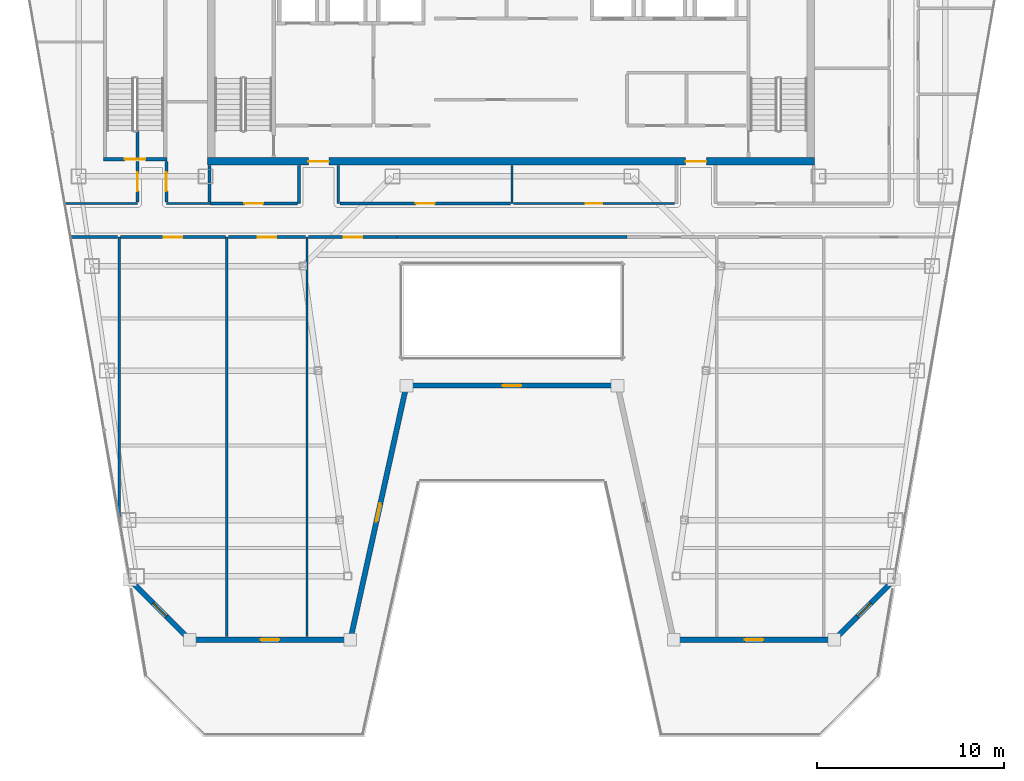
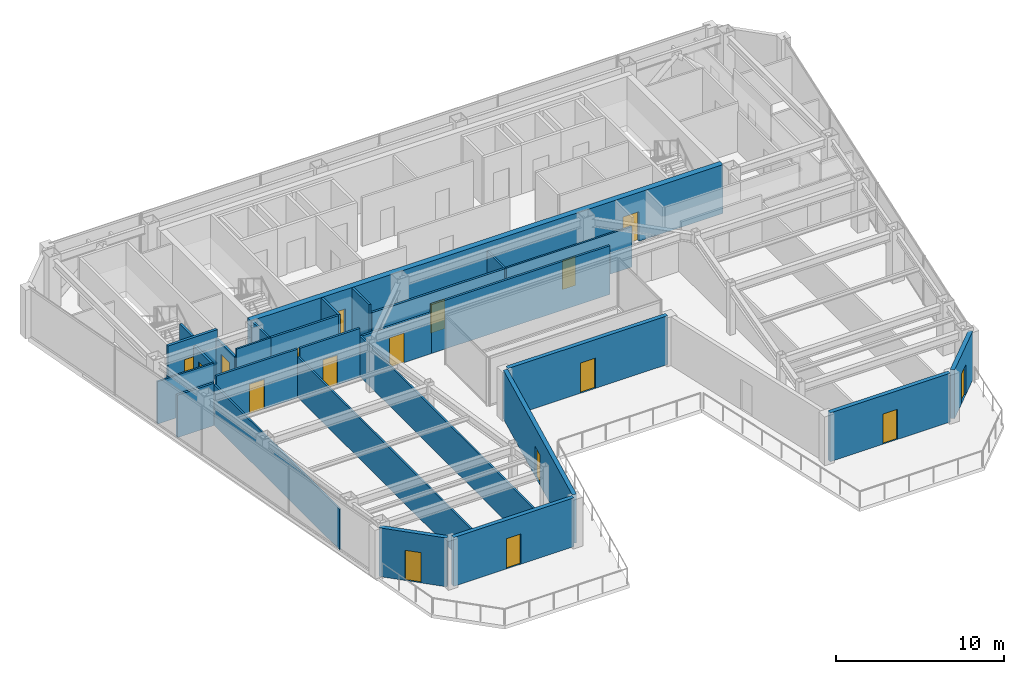
# One storey, part 24 of 31: 28 walls, 17 doors, 17 openings.
"""IFC4 building model written with IfcOpenShell, lengths in metres."""

from ifc_helpers import new_model, si_unit, direction, frame, frame_2d, origin, place, context, subcontext, project, spatial, rectangle, extrude, material, layer, layer_set, type_object, element, fill, save


model = new_model("IFC4")

# Units and contexts
model_context = context("Model", 3, precision=1e-05, world=origin(), true_north=direction((0.0, 1.0)))
body_context = subcontext(model_context, "Body", "Model", "MODEL_VIEW")
ifc_project = project(units=[si_unit("LENGTHUNIT", "METRE"), si_unit("AREAUNIT", "SQUARE_METRE"), si_unit("VOLUMEUNIT", "CUBIC_METRE"), si_unit("PLANEANGLEUNIT", "RADIAN"), si_unit("MASSUNIT", "GRAM", prefix="KILO")], contexts=[model_context])

# Site, building, storey
site_placement = place(None, origin())
site = spatial("IfcSite", under=ifc_project, at=site_placement, CompositionType="ELEMENT")
building_placement = place(site_placement, origin())
building = spatial("IfcBuilding", under=site, at=building_placement, Name="Saevonmaru Cultural Tower", CompositionType="ELEMENT")
storey_placement = place(building_placement, frame((0.0, 0.0, 230.60009765625)))
storey = spatial("IfcBuildingStorey", under=building, at=storey_placement, Name="L53", CompositionType="ELEMENT", Elevation=230.60009765625)

# Wall, openings, doors
ifc_material_1 = material(Name="Concrete C50/60", Category="concrete")
ifc_layer_1 = layer(ifc_material_1, 0.39990234375, Name="Concrete C50/60")
ifc_layer_set_1 = layer_set([ifc_layer_1], Name="Concrete C50/60")
wall_type_1 = type_object("IfcWallType", Name="WL-CORE-400", PredefinedType="SHEAR", material=ifc_layer_set_1)
wall_1_placement = place(storey_placement, frame((13.699951171875, 43.199951171875, 0.0), z_axis=(0.0, 0.0, 1.0), x_axis=(1.0, 0.0, 0.0)))
wall_1 = element("IfcWall", 1, at=wall_1_placement, inside=storey, type_object=wall_type_1, Name="L53 Tower RC core shear wall S", PredefinedType="SHEAR", context=body_context, shape_type="SweptSolid", body=[
    extrude(rectangle(XDim=32.5, YDim=0.39990234375, at=frame_2d((16.25, 0.0))), origin(), (0.0, 0.0, 1.0), 3.5498046875),
])
opening_1_placement = place(wall_1_placement, frame((5.39990234375, 0.0, 0.0)))
opening_1 = element("IfcOpeningElement", 2, at=opening_1_placement, cuts=wall_1, Name="Opening FD-2", PredefinedType="OPENING", context=body_context, shape_type="SweptSolid", body=[
    extrude(rectangle(XDim=1.10009765625, YDim=2.14990234375, at=frame_2d((0.550048828125, 1.074951171875))), frame((0.0, 0.2099609375, 0.0), z_axis=(0.0, -1.0, 0.0), x_axis=(1.0, 0.0, 0.0)), (0.0, 0.0, 1.0), 0.419921875),
])
opening_2_placement = place(wall_1_placement, frame((25.60009765625, 0.0, 0.0)))
opening_2 = element("IfcOpeningElement", 3, at=opening_2_placement, cuts=wall_1, Name="Opening FD-2", PredefinedType="OPENING", context=body_context, shape_type="SweptSolid", body=[
    extrude(rectangle(XDim=1.10009765625, YDim=2.14990234375, at=frame_2d((0.550048828125, 1.074951171875))), frame((0.0, 0.2099609375, 0.0), z_axis=(0.0, -1.0, 0.0), x_axis=(1.0, 0.0, 0.0)), (0.0, 0.0, 1.0), 0.419921875),
])
ifc_material_2 = material(Name="Satin Bronze Anodised Aluminium", Category="aluminium")
door_type_1 = type_object("IfcDoorType", Name="DR-FD60-1100", OperationType="SINGLE_SWING_LEFT", PredefinedType="DOOR", material=ifc_material_2)
door_1_placement = place(opening_1_placement, origin())
door_1 = element("IfcDoor", 4, at=door_1_placement, inside=storey, type_object=door_type_1, Name="L53 Core West Lobby Fire Door", OperationType="SINGLE_SWING_LEFT", OverallHeight=2.14990234375, OverallWidth=1.10009765625, PredefinedType="DOOR", context=body_context, shape_type="SweptSolid", body=[
    extrude(rectangle(XDim=1.10009765625, YDim=2.14990234375, at=frame_2d((0.550048828125, 1.074951171875))), frame((0.0, 0.02490234375, 0.0), z_axis=(0.0, -1.0, 0.0), x_axis=(1.0, 0.0, 0.0)), (0.0, 0.0, 1.0), 0.050048828125),
])
fill(opening_1, door_1)
door_2_placement = place(opening_2_placement, origin())
door_2 = element("IfcDoor", 5, at=door_2_placement, inside=storey, type_object=door_type_1, Name="L53 Core East Lobby Fire Door", OperationType="SINGLE_SWING_LEFT", OverallHeight=2.14990234375, OverallWidth=1.10009765625, PredefinedType="DOOR", context=body_context, shape_type="SweptSolid", body=[
    extrude(rectangle(XDim=1.10009765625, YDim=2.14990234375, at=frame_2d((0.550048828125, 1.074951171875))), frame((0.0, 0.02490234375, 0.0), z_axis=(0.0, -1.0, 0.0), x_axis=(1.0, 0.0, 0.0)), (0.0, 0.0, 1.0), 0.050048828125),
])
fill(opening_2, door_2)

# Wall, opening, door
ifc_material_3 = material(Name="Granite-Clad Precast Concrete C40/50", Category="masonry")
ifc_layer_2 = layer(ifc_material_3, 0.280029296875, Name="Granite-Clad Precast Concrete C40/50")
ifc_layer_set_2 = layer_set([ifc_layer_2], Name="Granite-Clad Precast Concrete C40/50")
wall_type_2 = type_object("IfcWallType", Name="WL-EXT-SPANDREL-280", PredefinedType="STANDARD", material=ifc_layer_set_2)
wall_2_placement = place(storey_placement, frame((9.659912109375, 20.68701171875, 0.0), z_axis=(0.0, 0.0, 1.0), x_axis=(0.70707775441, -0.707135806771, 0.0)))
wall_2 = element("IfcWall", 6, at=wall_2_placement, inside=storey, type_object=wall_type_2, Name="L53 Setback Terrace Portal Wall E1", PredefinedType="STANDARD", context=body_context, shape_type="SweptSolid", body=[
    extrude(rectangle(XDim=4.20556640625, YDim=0.280029296875, at=frame_2d((2.102783203125, 0.0))), origin(), (0.0, 0.0, 1.0), 3.5498046875),
])
opening_3_placement = place(wall_2_placement, frame((1.60302734375, 0.0, 0.0)))
opening_3 = element("IfcOpeningElement", 7, at=opening_3_placement, cuts=wall_2, Name="Opening TD-2", PredefinedType="OPENING", context=body_context, shape_type="SweptSolid", body=[
    extrude(rectangle(XDim=1.0, YDim=2.199951171875, at=frame_2d((0.5, 1.10009765625))), frame((0.0, 0.14990234375, 0.0), z_axis=(0.0, -1.0, 0.0), x_axis=(1.0, 0.0, 0.0)), (0.0, 0.0, 1.0), 0.300048828125),
])
door_type_2 = type_object("IfcDoorType", Name="DR-TERR-1000", OperationType="SINGLE_SWING_RIGHT", PredefinedType="DOOR", material=ifc_material_2)
door_3_placement = place(opening_3_placement, origin())
door_3 = element("IfcDoor", 8, at=door_3_placement, inside=storey, type_object=door_type_2, Name="L53 Sawtooth Roof Terrace Door E1", OperationType="SINGLE_SWING_RIGHT", OverallHeight=2.199951171875, OverallWidth=1.0, PredefinedType="DOOR", context=body_context, shape_type="SweptSolid", body=[
    extrude(rectangle(XDim=1.0, YDim=2.199951171875, at=frame_2d((0.5, 1.10009765625))), frame((0.0, 0.02490234375, 0.0), z_axis=(0.0, -1.0, 0.0), x_axis=(1.0, 0.0, 0.0)), (0.0, 0.0, 1.0), 0.050048828125),
])
fill(opening_3, door_3)

wall_3_placement = place(storey_placement, frame((12.90673828125, 17.60009765625, 0.0), z_axis=(0.0, 0.0, 1.0), x_axis=(1.0, 0.0, 0.0)))
wall_3 = element("IfcWall", 9, at=wall_3_placement, inside=storey, type_object=wall_type_2, Name="L53 Setback Terrace Portal Wall E2", PredefinedType="STANDARD", context=body_context, shape_type="SweptSolid", body=[
    extrude(rectangle(XDim=8.280029296875, YDim=0.280029296875, at=frame_2d((4.14013671875, 0.0))), origin(), (0.0, 0.0, 1.0), 3.5498046875),
])
opening_4_placement = place(wall_3_placement, frame((3.639892578125, 0.0, 0.0)))
opening_4 = element("IfcOpeningElement", 10, at=opening_4_placement, cuts=wall_3, Name="Opening TD-2", PredefinedType="OPENING", context=body_context, shape_type="SweptSolid", body=[
    extrude(rectangle(XDim=1.0, YDim=2.199951171875, at=frame_2d((0.5, 1.10009765625))), frame((0.0, 0.14990234375, 0.0), z_axis=(0.0, -1.0, 0.0), x_axis=(1.0, 0.0, 0.0)), (0.0, 0.0, 1.0), 0.300048828125),
])
door_4_placement = place(opening_4_placement, origin())
door_4 = element("IfcDoor", 11, at=door_4_placement, inside=storey, type_object=door_type_2, Name="L53 Sawtooth Roof Terrace Door E2", OperationType="SINGLE_SWING_LEFT", OverallHeight=2.199951171875, OverallWidth=1.0, PredefinedType="DOOR", context=body_context, shape_type="SweptSolid", body=[
    extrude(rectangle(XDim=1.0, YDim=2.199951171875, at=frame_2d((0.5, 1.10009765625))), frame((0.0, 0.02490234375, 0.0), z_axis=(0.0, -1.0, 0.0), x_axis=(1.0, 0.0, 0.0)), (0.0, 0.0, 1.0), 0.050048828125),
])
fill(opening_4, door_4)

wall_4_placement = place(storey_placement, frame((21.381103515625, 17.756103515625, 0.0), z_axis=(0.0, 0.0, 1.0), x_axis=(0.215414184939, 0.976522774403, 0.0)))
wall_4 = element("IfcWall", 12, at=wall_4_placement, inside=storey, type_object=wall_type_2, Name="L53 Setback Terrace Portal Wall E3", PredefinedType="STANDARD", context=body_context, shape_type="SweptSolid", body=[
    extrude(rectangle(XDim=13.60693359375, YDim=0.280029296875, at=frame_2d((6.803466796875, 0.0))), origin(), (0.0, 0.0, 1.0), 3.5498046875),
])
opening_5_placement = place(wall_4_placement, frame((6.303955078125, 0.0, 0.0)))
opening_5 = element("IfcOpeningElement", 13, at=opening_5_placement, cuts=wall_4, Name="Opening TD-2", PredefinedType="OPENING", context=body_context, shape_type="SweptSolid", body=[
    extrude(rectangle(XDim=1.0, YDim=2.199951171875, at=frame_2d((0.5, 1.10009765625))), frame((0.0, 0.14990234375, 0.0), z_axis=(0.0, -1.0, 0.0), x_axis=(1.0, 0.0, 0.0)), (0.0, 0.0, 1.0), 0.300048828125),
])
door_5_placement = place(opening_5_placement, origin())
door_5 = element("IfcDoor", 14, at=door_5_placement, inside=storey, type_object=door_type_2, Name="L53 Sawtooth Roof Terrace Door E3", OperationType="SINGLE_SWING_RIGHT", OverallHeight=2.199951171875, OverallWidth=1.0, PredefinedType="DOOR", context=body_context, shape_type="SweptSolid", body=[
    extrude(rectangle(XDim=1.0, YDim=2.199951171875, at=frame_2d((0.5, 1.10009765625))), frame((0.0, 0.02490234375, 0.0), z_axis=(0.0, -1.0, 0.0), x_axis=(1.0, 0.0, 0.0)), (0.0, 0.0, 1.0), 0.050048828125),
])
fill(opening_5, door_5)

wall_5_placement = place(storey_placement, frame((24.506591796875, 31.199951171875, 0.0), z_axis=(0.0, 0.0, 1.0), x_axis=(1.0, 0.0, 0.0)))
wall_5 = element("IfcWall", 15, at=wall_5_placement, inside=storey, type_object=wall_type_2, Name="L53 Setback Terrace Portal Wall E4", PredefinedType="STANDARD", context=body_context, shape_type="SweptSolid", body=[
    extrude(rectangle(XDim=10.98681640625, YDim=0.280029296875, at=frame_2d((5.493408203125, 0.0))), origin(), (0.0, 0.0, 1.0), 3.5498046875),
])
opening_6_placement = place(wall_5_placement, frame((4.992919921875, 0.0, 0.0)))
opening_6 = element("IfcOpeningElement", 16, at=opening_6_placement, cuts=wall_5, Name="Opening TD-2", PredefinedType="OPENING", context=body_context, shape_type="SweptSolid", body=[
    extrude(rectangle(XDim=1.0, YDim=2.199951171875, at=frame_2d((0.5, 1.10009765625))), frame((0.0, 0.14990234375, 0.0), z_axis=(0.0, -1.0, 0.0), x_axis=(1.0, 0.0, 0.0)), (0.0, 0.0, 1.0), 0.300048828125),
])
door_6_placement = place(opening_6_placement, origin())
door_6 = element("IfcDoor", 17, at=door_6_placement, inside=storey, type_object=door_type_2, Name="L53 Sawtooth Roof Terrace Door E4", OperationType="SINGLE_SWING_LEFT", OverallHeight=2.199951171875, OverallWidth=1.0, PredefinedType="DOOR", context=body_context, shape_type="SweptSolid", body=[
    extrude(rectangle(XDim=1.0, YDim=2.199951171875, at=frame_2d((0.5, 1.10009765625))), frame((0.0, 0.02490234375, 0.0), z_axis=(0.0, -1.0, 0.0), x_axis=(1.0, 0.0, 0.0)), (0.0, 0.0, 1.0), 0.050048828125),
])
fill(opening_6, door_6)

wall_6_placement = place(storey_placement, frame((38.813232421875, 17.60009765625, 0.0), z_axis=(0.0, 0.0, 1.0), x_axis=(1.0, 0.0, 0.0)))
wall_6 = element("IfcWall", 18, at=wall_6_placement, inside=storey, type_object=wall_type_2, Name="L53 Setback Terrace Portal Wall E6", PredefinedType="STANDARD", context=body_context, shape_type="SweptSolid", body=[
    extrude(rectangle(XDim=8.280029296875, YDim=0.280029296875, at=frame_2d((4.14013671875, 0.0))), origin(), (0.0, 0.0, 1.0), 3.5498046875),
])
opening_7_placement = place(wall_6_placement, frame((3.639892578125, 0.0, 0.0)))
opening_7 = element("IfcOpeningElement", 19, at=opening_7_placement, cuts=wall_6, Name="Opening TD-2", PredefinedType="OPENING", context=body_context, shape_type="SweptSolid", body=[
    extrude(rectangle(XDim=1.0, YDim=2.199951171875, at=frame_2d((0.5, 1.10009765625))), frame((0.0, 0.14990234375, 0.0), z_axis=(0.0, -1.0, 0.0), x_axis=(1.0, 0.0, 0.0)), (0.0, 0.0, 1.0), 0.300048828125),
])
door_7_placement = place(opening_7_placement, origin())
door_7 = element("IfcDoor", 20, at=door_7_placement, inside=storey, type_object=door_type_2, Name="L53 Sawtooth Roof Terrace Door E6", OperationType="SINGLE_SWING_LEFT", OverallHeight=2.199951171875, OverallWidth=1.0, PredefinedType="DOOR", context=body_context, shape_type="SweptSolid", body=[
    extrude(rectangle(XDim=1.0, YDim=2.199951171875, at=frame_2d((0.5, 1.10009765625))), frame((0.0, 0.02490234375, 0.0), z_axis=(0.0, -1.0, 0.0), x_axis=(1.0, 0.0, 0.0)), (0.0, 0.0, 1.0), 0.050048828125),
])
fill(opening_7, door_7)

wall_7_placement = place(storey_placement, frame((47.366455078125, 17.713134765625, 0.0), z_axis=(0.0, 0.0, 1.0), x_axis=(0.70707775441, 0.707135806771, 0.0)))
wall_7 = element("IfcWall", 21, at=wall_7_placement, inside=storey, type_object=wall_type_2, Name="L53 Setback Terrace Portal Wall E7", PredefinedType="STANDARD", context=body_context, shape_type="SweptSolid", body=[
    extrude(rectangle(XDim=4.20556640625, YDim=0.280029296875, at=frame_2d((2.102783203125, 0.0))), origin(), (0.0, 0.0, 1.0), 3.5498046875),
])
opening_8_placement = place(wall_7_placement, frame((1.60302734375, 0.0, 0.0)))
opening_8 = element("IfcOpeningElement", 22, at=opening_8_placement, cuts=wall_7, Name="Opening TD-2", PredefinedType="OPENING", context=body_context, shape_type="SweptSolid", body=[
    extrude(rectangle(XDim=1.0, YDim=2.199951171875, at=frame_2d((0.5, 1.10009765625))), frame((0.0, 0.14990234375, 0.0), z_axis=(0.0, -1.0, 0.0), x_axis=(1.0, 0.0, 0.0)), (0.0, 0.0, 1.0), 0.300048828125),
])
door_8_placement = place(opening_8_placement, origin())
door_8 = element("IfcDoor", 23, at=door_8_placement, inside=storey, type_object=door_type_2, Name="L53 Sawtooth Roof Terrace Door E7", OperationType="SINGLE_SWING_RIGHT", OverallHeight=2.199951171875, OverallWidth=1.0, PredefinedType="DOOR", context=body_context, shape_type="SweptSolid", body=[
    extrude(rectangle(XDim=1.0, YDim=2.199951171875, at=frame_2d((0.5, 1.10009765625))), frame((0.0, 0.02490234375, 0.0), z_axis=(0.0, -1.0, 0.0), x_axis=(1.0, 0.0, 0.0)), (0.0, 0.0, 1.0), 0.050048828125),
])
fill(opening_8, door_8)

ifc_material_4 = material(Name="Gypsum Fireboard Partition", Category="gypsum")
ifc_layer_3 = layer(ifc_material_4, 0.14990234375, Name="Gypsum Fireboard Partition")
ifc_layer_set_3 = layer_set([ifc_layer_3], Name="Gypsum Fireboard Partition")
wall_type_3 = type_object("IfcWallType", Name="WL-PART-FIRE-150", PredefinedType="PARTITIONING", material=ifc_layer_set_3)
wall_8_placement = place(storey_placement, frame((9.949951171875, 41.030029296875, 0.0), z_axis=(0.0, 0.0, 1.0), x_axis=(0.0, 1.0, 0.0)))
wall_8 = element("IfcWall", 24, at=wall_8_placement, inside=storey, type_object=wall_type_3, Name="L53 Chamber Rehearsal Auditorium Corridor Wall", PredefinedType="PARTITIONING", context=body_context, shape_type="SweptSolid", body=[
    extrude(rectangle(XDim=2.169921875, YDim=0.14990234375, at=frame_2d((1.0849609375, 0.0))), origin(), (0.0, 0.0, 1.0), 2.947021484375),
])
opening_9_placement = place(wall_8_placement, frame((0.5849609375, 0.0, 0.0)))
opening_9 = element("IfcOpeningElement", 25, at=opening_9_placement, cuts=wall_8, Name="Opening ID-1B", PredefinedType="OPENING", context=body_context, shape_type="SweptSolid", body=[
    extrude(rectangle(XDim=1.0, YDim=2.14990234375, at=frame_2d((0.5, 1.074951171875))), frame((0.0, 0.0849609375, 0.0), z_axis=(0.0, -1.0, 0.0), x_axis=(1.0, 0.0, 0.0)), (0.0, 0.0, 1.0), 0.169921875),
])
ifc_material_5 = material(Name="Acoustic Stained Oak Timber", Category="wood")
door_type_3 = type_object("IfcDoorType", Name="DR-INT-1000", OperationType="SINGLE_SWING_RIGHT", PredefinedType="DOOR", material=ifc_material_5)
door_9_placement = place(opening_9_placement, origin())
door_9 = element("IfcDoor", 26, at=door_9_placement, inside=storey, type_object=door_type_3, Name="L53 Chamber Rehearsal Auditorium Door", OperationType="SINGLE_SWING_LEFT", OverallHeight=2.14990234375, OverallWidth=1.0, PredefinedType="DOOR", context=body_context, shape_type="SweptSolid", body=[
    extrude(rectangle(XDim=1.0, YDim=2.14990234375, at=frame_2d((0.5, 1.074951171875))), frame((0.0, 0.02490234375, 0.0), z_axis=(0.0, -1.0, 0.0), x_axis=(1.0, 0.0, 0.0)), (0.0, 0.0, 1.0), 0.050048828125),
])
fill(opening_9, door_9)

# Wall
wall_9_placement = place(storey_placement, frame((9.949951171875, 43.419921875, 0.0), z_axis=(0.0, 0.0, 1.0), x_axis=(0.0, 1.0, 0.0)))
element("IfcWall", 27, at=wall_9_placement, inside=storey, type_object=wall_type_3, Name="L53 Chamber Rehearsal Auditorium Corridor Wall (2)", PredefinedType="PARTITIONING", context=body_context, shape_type="SweptSolid", body=[
    extrude(rectangle(XDim=1.4501953125, YDim=0.14990234375, at=frame_2d((0.72509765625, 0.0))), origin(), (0.0, 0.0, 1.0), 3.5498046875),
])

# Wall, opening, door
wall_10_placement = place(storey_placement, frame((11.5, 41.030029296875, 0.0), z_axis=(0.0, 0.0, 1.0), x_axis=(0.0, 1.0, 0.0)))
wall_10 = element("IfcWall", 28, at=wall_10_placement, inside=storey, type_object=wall_type_3, Name="L53 Media Screening Auditorium Corridor Wall", PredefinedType="PARTITIONING", context=body_context, shape_type="SweptSolid", body=[
    extrude(rectangle(XDim=2.169921875, YDim=0.14990234375, at=frame_2d((1.0849609375, 0.0))), origin(), (0.0, 0.0, 1.0), 2.947021484375),
])
opening_10_placement = place(wall_10_placement, frame((0.5849609375, 0.0, 0.0)))
opening_10 = element("IfcOpeningElement", 29, at=opening_10_placement, cuts=wall_10, Name="Opening ID-1B", PredefinedType="OPENING", context=body_context, shape_type="SweptSolid", body=[
    extrude(rectangle(XDim=1.0, YDim=2.14990234375, at=frame_2d((0.5, 1.074951171875))), frame((0.0, 0.0849609375, 0.0), z_axis=(0.0, -1.0, 0.0), x_axis=(1.0, 0.0, 0.0)), (0.0, 0.0, 1.0), 0.169921875),
])
door_10_placement = place(opening_10_placement, origin())
door_10 = element("IfcDoor", 30, at=door_10_placement, inside=storey, type_object=door_type_3, Name="L53 Media Screening Auditorium Door", OperationType="SINGLE_SWING_RIGHT", OverallHeight=2.14990234375, OverallWidth=1.0, PredefinedType="DOOR", context=body_context, shape_type="SweptSolid", body=[
    extrude(rectangle(XDim=1.0, YDim=2.14990234375, at=frame_2d((0.5, 1.074951171875))), frame((0.0, 0.02490234375, 0.0), z_axis=(0.0, -1.0, 0.0), x_axis=(1.0, 0.0, 0.0)), (0.0, 0.0, 1.0), 0.050048828125),
])
fill(opening_10, door_10)

# Walls
wall_11_placement = place(storey_placement, frame((13.800048828125, 41.030029296875, 0.0), z_axis=(0.0, 0.0, 1.0), x_axis=(0.0, 1.0, 0.0)))
element("IfcWall", 31, at=wall_11_placement, inside=storey, type_object=wall_type_3, Name="L53 Core Portal Side Wall W0", PredefinedType="PARTITIONING", context=body_context, shape_type="SweptSolid", body=[
    extrude(rectangle(XDim=1.949951171875, YDim=0.14990234375, at=frame_2d((0.97509765625, 0.0))), origin(), (0.0, 0.0, 1.0), 3.5498046875),
])
for number, where, z_axis, x_axis, name in (
    (32, (18.60009765625, 40.949951171875, 0.0), (0.0, 0.0, 1.0), (0.0, 1.0, 0.0), "L53 Core Portal Side Wall W1"),
    (33, (20.699951171875, 40.949951171875, 0.0), (0.0, 0.0, 1.0), (0.0, 1.0, 0.0), "L53 Core Portal Side Wall W2"),
):
    element("IfcWall", number, at=place(storey_placement, frame(where, z_axis=z_axis, x_axis=x_axis)), inside=storey, type_object=wall_type_3, Name=name, PredefinedType="PARTITIONING", context=body_context, shape_type="SweptSolid", body=[
        extrude(rectangle(XDim=2.030029296875, YDim=0.14990234375, at=frame_2d((1.01513671875, 0.0))), origin(), (0.0, 0.0, 1.0), 3.5498046875),
    ])

# Wall, opening, door
wall_12_placement = place(storey_placement, frame((13.85009765625, 40.949951171875, 0.0), z_axis=(0.0, 0.0, 1.0), x_axis=(1.0, 0.0, 0.0)))
wall_12 = element("IfcWall", 34, at=wall_12_placement, inside=storey, type_object=wall_type_3, Name="L53 Chamber Rehearsal Auditorium Corridor Wall", PredefinedType="PARTITIONING", context=body_context, shape_type="SweptSolid", body=[
    extrude(rectangle(XDim=4.65478515625, YDim=0.14990234375, at=frame_2d((2.327392578125, 0.0))), origin(), (0.0, 0.0, 1.0), 3.5498046875),
])
opening_11_placement = place(wall_12_placement, frame((1.826904296875, 0.0, 0.0)))
opening_11 = element("IfcOpeningElement", 35, at=opening_11_placement, cuts=wall_12, Name="Opening ID-1B", PredefinedType="OPENING", context=body_context, shape_type="SweptSolid", body=[
    extrude(rectangle(XDim=1.0, YDim=2.14990234375, at=frame_2d((0.5, 1.074951171875))), frame((0.0, 0.0849609375, 0.0), z_axis=(0.0, -1.0, 0.0), x_axis=(1.0, 0.0, 0.0)), (0.0, 0.0, 1.0), 0.169921875),
])
door_11_placement = place(opening_11_placement, origin())
door_11 = element("IfcDoor", 36, at=door_11_placement, inside=storey, type_object=door_type_3, Name="L53 Chamber Rehearsal Auditorium Door", OperationType="SINGLE_SWING_RIGHT", OverallHeight=2.14990234375, OverallWidth=1.0, PredefinedType="DOOR", context=body_context, shape_type="SweptSolid", body=[
    extrude(rectangle(XDim=1.0, YDim=2.14990234375, at=frame_2d((0.5, 1.074951171875))), frame((0.0, 0.02490234375, 0.0), z_axis=(0.0, -1.0, 0.0), x_axis=(1.0, 0.0, 0.0)), (0.0, 0.0, 1.0), 0.050048828125),
])
fill(opening_11, door_11)

wall_13_placement = place(storey_placement, frame((20.794921875, 40.949951171875, 0.0), z_axis=(0.0, 0.0, 1.0), x_axis=(1.0, 0.0, 0.0)))
wall_13 = element("IfcWall", 37, at=wall_13_placement, inside=storey, type_object=wall_type_3, Name="L53 Chamber Rehearsal Auditorium Corridor Wall", PredefinedType="PARTITIONING", context=body_context, shape_type="SweptSolid", body=[
    extrude(rectangle(XDim=9.125, YDim=0.14990234375, at=frame_2d((4.5625, 0.0))), origin(), (0.0, 0.0, 1.0), 2.947021484375),
])
opening_12_placement = place(wall_13_placement, frame((4.06201171875, 0.0, 0.0)))
opening_12 = element("IfcOpeningElement", 38, at=opening_12_placement, cuts=wall_13, Name="Opening ID-1B", PredefinedType="OPENING", context=body_context, shape_type="SweptSolid", body=[
    extrude(rectangle(XDim=1.0, YDim=2.14990234375, at=frame_2d((0.5, 1.074951171875))), frame((0.0, 0.0849609375, 0.0), z_axis=(0.0, -1.0, 0.0), x_axis=(1.0, 0.0, 0.0)), (0.0, 0.0, 1.0), 0.169921875),
])
door_12_placement = place(opening_12_placement, origin())
door_12 = element("IfcDoor", 39, at=door_12_placement, inside=storey, type_object=door_type_3, Name="L53 Chamber Rehearsal Auditorium Door", OperationType="SINGLE_SWING_LEFT", OverallHeight=2.14990234375, OverallWidth=1.0, PredefinedType="DOOR", context=body_context, shape_type="SweptSolid", body=[
    extrude(rectangle(XDim=1.0, YDim=2.14990234375, at=frame_2d((0.5, 1.074951171875))), frame((0.0, 0.02490234375, 0.0), z_axis=(0.0, -1.0, 0.0), x_axis=(1.0, 0.0, 0.0)), (0.0, 0.0, 1.0), 0.050048828125),
])
fill(opening_12, door_12)

# Wall
wall_14_placement = place(storey_placement, frame((6.37109375, 39.14990234375, 0.0), z_axis=(0.0, 0.0, 1.0), x_axis=(1.0, 0.0, 0.0)))
element("IfcWall", 40, at=wall_14_placement, inside=storey, type_object=wall_type_3, Name="L53 Chamber Rehearsal Auditorium Corridor Wall", PredefinedType="PARTITIONING", context=body_context, shape_type="SweptSolid", body=[
    extrude(rectangle(XDim=2.518798828125, YDim=0.14990234375, at=frame_2d((1.25927734375, 0.0))), origin(), (0.0, 0.0, 1.0), 3.0849609375),
])

# Wall, opening, door
wall_15_placement = place(storey_placement, frame((9.050048828125, 39.14990234375, 0.0), z_axis=(0.0, 0.0, 1.0), x_axis=(1.0, 0.0, 0.0)))
wall_15 = element("IfcWall", 41, at=wall_15_placement, inside=storey, type_object=wall_type_3, Name="L53 Media Screening Auditorium Corridor Wall", PredefinedType="PARTITIONING", context=body_context, shape_type="SweptSolid", body=[
    extrude(rectangle(XDim=5.599853515625, YDim=0.14990234375, at=frame_2d((2.7998046875, 0.0))), origin(), (0.0, 0.0, 1.0), 3.5498046875),
])
opening_13_placement = place(wall_15_placement, frame((2.300048828125, 0.0, 0.0)))
opening_13 = element("IfcOpeningElement", 42, at=opening_13_placement, cuts=wall_15, Name="Opening ID-1B", PredefinedType="OPENING", context=body_context, shape_type="SweptSolid", body=[
    extrude(rectangle(XDim=1.0, YDim=2.14990234375, at=frame_2d((0.5, 1.074951171875))), frame((0.0, 0.0849609375, 0.0), z_axis=(0.0, -1.0, 0.0), x_axis=(1.0, 0.0, 0.0)), (0.0, 0.0, 1.0), 0.169921875),
])
door_13_placement = place(opening_13_placement, origin())
door_13 = element("IfcDoor", 43, at=door_13_placement, inside=storey, type_object=door_type_3, Name="L53 Media Screening Auditorium Door", OperationType="SINGLE_SWING_RIGHT", OverallHeight=2.14990234375, OverallWidth=1.0, PredefinedType="DOOR", context=body_context, shape_type="SweptSolid", body=[
    extrude(rectangle(XDim=1.0, YDim=2.14990234375, at=frame_2d((0.5, 1.074951171875))), frame((0.0, 0.02490234375, 0.0), z_axis=(0.0, -1.0, 0.0), x_axis=(1.0, 0.0, 0.0)), (0.0, 0.0, 1.0), 0.050048828125),
])
fill(opening_13, door_13)

wall_16_placement = place(storey_placement, frame((14.81005859375, 39.14990234375, 0.0), z_axis=(0.0, 0.0, 1.0), x_axis=(1.0, 0.0, 0.0)))
wall_16 = element("IfcWall", 44, at=wall_16_placement, inside=storey, type_object=wall_type_3, Name="L53 Sound Art Screening Auditorium Corridor Wall", PredefinedType="PARTITIONING", context=body_context, shape_type="SweptSolid", body=[
    extrude(rectangle(XDim=4.139892578125, YDim=0.14990234375, at=frame_2d((2.06982421875, 0.0))), origin(), (0.0, 0.0, 1.0), 3.5498046875),
])
opening_14_placement = place(wall_16_placement, frame((1.570068359375, 0.0, 0.0)))
opening_14 = element("IfcOpeningElement", 45, at=opening_14_placement, cuts=wall_16, Name="Opening ID-1B", PredefinedType="OPENING", context=body_context, shape_type="SweptSolid", body=[
    extrude(rectangle(XDim=1.0, YDim=2.14990234375, at=frame_2d((0.5, 1.074951171875))), frame((0.0, 0.0849609375, 0.0), z_axis=(0.0, -1.0, 0.0), x_axis=(1.0, 0.0, 0.0)), (0.0, 0.0, 1.0), 0.169921875),
])
door_14_placement = place(opening_14_placement, origin())
door_14 = element("IfcDoor", 46, at=door_14_placement, inside=storey, type_object=door_type_3, Name="L53 Sound Art Screening Auditorium Door", OperationType="SINGLE_SWING_LEFT", OverallHeight=2.14990234375, OverallWidth=1.0, PredefinedType="DOOR", context=body_context, shape_type="SweptSolid", body=[
    extrude(rectangle(XDim=1.0, YDim=2.14990234375, at=frame_2d((0.5, 1.074951171875))), frame((0.0, 0.02490234375, 0.0), z_axis=(0.0, -1.0, 0.0), x_axis=(1.0, 0.0, 0.0)), (0.0, 0.0, 1.0), 0.050048828125),
])
fill(opening_14, door_14)

wall_17_placement = place(storey_placement, frame((19.110107421875, 39.14990234375, 0.0), z_axis=(0.0, 0.0, 1.0), x_axis=(1.0, 0.0, 0.0)))
wall_17 = element("IfcWall", 47, at=wall_17_placement, inside=storey, type_object=wall_type_3, Name="L53 Chamber Rehearsal Auditorium Corridor Wall", PredefinedType="PARTITIONING", context=body_context, shape_type="SweptSolid", body=[
    extrude(rectangle(XDim=4.739990234375, YDim=0.14990234375, at=frame_2d((2.3701171875, 0.0))), origin(), (0.0, 0.0, 1.0), 2.947021484375),
])
opening_15_placement = place(wall_17_placement, frame((1.8701171875, 0.0, 0.0)))
opening_15 = element("IfcOpeningElement", 48, at=opening_15_placement, cuts=wall_17, Name="Opening ID-1B", PredefinedType="OPENING", context=body_context, shape_type="SweptSolid", body=[
    extrude(rectangle(XDim=1.0, YDim=2.14990234375, at=frame_2d((0.5, 1.074951171875))), frame((0.0, 0.0849609375, 0.0), z_axis=(0.0, -1.0, 0.0), x_axis=(1.0, 0.0, 0.0)), (0.0, 0.0, 1.0), 0.169921875),
])
door_15_placement = place(opening_15_placement, origin())
door_15 = element("IfcDoor", 49, at=door_15_placement, inside=storey, type_object=door_type_3, Name="L53 Chamber Rehearsal Auditorium Door", OperationType="SINGLE_SWING_RIGHT", OverallHeight=2.14990234375, OverallWidth=1.0, PredefinedType="DOOR", context=body_context, shape_type="SweptSolid", body=[
    extrude(rectangle(XDim=1.0, YDim=2.14990234375, at=frame_2d((0.5, 1.074951171875))), frame((0.0, 0.02490234375, 0.0), z_axis=(0.0, -1.0, 0.0), x_axis=(1.0, 0.0, 0.0)), (0.0, 0.0, 1.0), 0.050048828125),
])
fill(opening_15, door_15)

# Walls
wall_18_placement = place(storey_placement, frame((23.85009765625, 39.14990234375, 0.0), z_axis=(0.0, 0.0, 1.0), x_axis=(1.0, 0.0, 0.0)))
element("IfcWall", 50, at=wall_18_placement, inside=storey, type_object=wall_type_3, Name="L53 North Atrium Corridor Wall", PredefinedType="PARTITIONING", context=body_context, shape_type="SweptSolid", body=[
    extrude(rectangle(XDim=12.2998046875, YDim=0.14990234375, at=frame_2d((6.14990234375, 0.0))), origin(), (0.0, 0.0, 1.0), 3.5498046875),
])
ifc_layer_4 = layer(ifc_material_4, 0.1201171875, Name="Gypsum Fireboard Partition")
ifc_layer_set_4 = layer_set([ifc_layer_4], Name="Gypsum Fireboard Partition")
wall_type_4 = type_object("IfcWallType", Name="WL-PART-GYP-120", PredefinedType="PARTITIONING", material=ifc_layer_set_4)
wall_19_placement = place(storey_placement, frame((6.05908203125, 40.949951171875, 0.0), z_axis=(0.0, 0.0, 1.0), x_axis=(1.0, 0.0, 0.0)))
element("IfcWall", 51, at=wall_19_placement, inside=storey, type_object=wall_type_4, Name="L53 NW Wing South Wall", PredefinedType="PARTITIONING", context=body_context, shape_type="SweptSolid", body=[
    extrude(rectangle(XDim=3.890869140625, YDim=0.1201171875, at=frame_2d((1.9453125, 0.0))), origin(), (0.0, 0.0, 1.0), 3.0849609375),
])
wall_20_placement = place(storey_placement, frame((11.5, 40.949951171875, 0.0), z_axis=(0.0, 0.0, 1.0), x_axis=(1.0, 0.0, 0.0)))
element("IfcWall", 52, at=wall_20_placement, inside=storey, type_object=wall_type_4, Name="L53 NW Inner South Wall", PredefinedType="PARTITIONING", context=body_context, shape_type="SweptSolid", body=[
    extrude(rectangle(XDim=2.35009765625, YDim=0.1201171875, at=frame_2d((1.175048828125, 0.0))), origin(), (0.0, 0.0, 1.0), 3.5498046875),
])
wall_21_placement = place(storey_placement, frame((30.0, 40.949951171875, 0.0), z_axis=(0.0, 0.0, 1.0), x_axis=(0.0, 1.0, 0.0)))
element("IfcWall", 53, at=wall_21_placement, inside=storey, type_object=wall_type_4, Name="L53 Spine Alcove Split", PredefinedType="PARTITIONING", context=body_context, shape_type="SweptSolid", body=[
    extrude(rectangle(XDim=2.030029296875, YDim=0.1201171875, at=frame_2d((1.01513671875, 0.0))), origin(), (0.0, 0.0, 1.0), 2.947021484375),
])

# Wall, opening, door
wall_22_placement = place(storey_placement, frame((30.080078125, 40.949951171875, 0.0), z_axis=(0.0, 0.0, 1.0), x_axis=(1.0, 0.0, 0.0)))
wall_22 = element("IfcWall", 54, at=wall_22_placement, inside=storey, type_object=wall_type_4, Name="L53 Architecture Residency Office Corridor Wall", PredefinedType="PARTITIONING", context=body_context, shape_type="SweptSolid", body=[
    extrude(rectangle(XDim=8.625, YDim=0.1201171875, at=frame_2d((4.3125, 0.0))), origin(), (0.0, 0.0, 1.0), 2.947021484375),
])
opening_16_placement = place(wall_22_placement, frame((3.862060546875, 0.0, 0.0)))
opening_16 = element("IfcOpeningElement", 55, at=opening_16_placement, cuts=wall_22, Name="Opening ID-2", PredefinedType="OPENING", context=body_context, shape_type="SweptSolid", body=[
    extrude(rectangle(XDim=0.89990234375, YDim=2.10009765625, at=frame_2d((0.449951171875, 1.050048828125))), frame((0.0, 0.070068359375, 0.0), z_axis=(0.0, -1.0, 0.0), x_axis=(1.0, 0.0, 0.0)), (0.0, 0.0, 1.0), 0.14013671875),
])
door_type_4 = type_object("IfcDoorType", Name="DR-INT-900", OperationType="SINGLE_SWING_RIGHT", PredefinedType="DOOR", material=ifc_material_5)
door_16_placement = place(opening_16_placement, origin())
door_16 = element("IfcDoor", 56, at=door_16_placement, inside=storey, type_object=door_type_4, Name="L53 Architecture Residency Office Door", OperationType="SINGLE_SWING_RIGHT", OverallHeight=2.10009765625, OverallWidth=0.89990234375, PredefinedType="DOOR", context=body_context, shape_type="SweptSolid", body=[
    extrude(rectangle(XDim=0.89990234375, YDim=2.10009765625, at=frame_2d((0.449951171875, 1.050048828125))), frame((0.0, 0.02490234375, 0.0), z_axis=(0.0, -1.0, 0.0), x_axis=(1.0, 0.0, 0.0)), (0.0, 0.0, 1.0), 0.050048828125),
])
fill(opening_16, door_16)

# Walls
wall_23_placement = place(storey_placement, frame((8.969970703125, 24.156494140625, 0.0), z_axis=(0.0, 0.0, 1.0), x_axis=(0.0, 1.0, 0.0)))
element("IfcWall", 57, at=wall_23_placement, inside=storey, type_object=wall_type_4, Name="L53 West Bay Divider 1", PredefinedType="PARTITIONING", context=body_context, shape_type="SweptSolid", body=[
    extrude(rectangle(XDim=14.993408203125, YDim=0.1201171875, at=frame_2d((7.49658203125, 0.0))), origin(), (0.0, 0.0, 1.0), 2.947021484375),
])
for number, where, z_axis, x_axis, name in (
    (58, (14.72998046875, 17.760009765625, 0.0), (0.0, 0.0, 1.0), (0.0, 1.0, 0.0), "L53 West Bay Divider 2"),
    (59, (19.030029296875, 17.760009765625, 0.0), (0.0, 0.0, 1.0), (0.0, 1.0, 0.0), "L53 West Bay Divider 3"),
):
    element("IfcWall", number, at=place(storey_placement, frame(where, z_axis=z_axis, x_axis=x_axis)), inside=storey, type_object=wall_type_4, Name=name, PredefinedType="PARTITIONING", context=body_context, shape_type="SweptSolid", body=[
        extrude(rectangle(XDim=21.389892578125, YDim=0.1201171875, at=frame_2d((10.69482421875, 0.0))), origin(), (0.0, 0.0, 1.0), 2.947021484375),
    ])

# Wall, opening, door
ifc_material_6 = material(Name="Concrete C40/50", Category="concrete")
ifc_layer_5 = layer(ifc_material_6, 0.179931640625, Name="Concrete C40/50")
ifc_layer_set_5 = layer_set([ifc_layer_5], Name="Concrete C40/50")
wall_type_5 = type_object("IfcWallType", Name="WL-STSHAFT-180", PredefinedType="SHEAR", material=ifc_layer_set_5)
wall_24_placement = place(storey_placement, frame((8.1201171875, 43.31005859375, 0.0), z_axis=(0.0, 0.0, 1.0), x_axis=(1.0, 0.0, 0.0)))
wall_24 = element("IfcWall", 60, at=wall_24_placement, inside=storey, type_object=wall_type_5, Name="L53 Stair ST-3 Structural Shaft Wall 1", PredefinedType="SHEAR", context=body_context, shape_type="SweptSolid", body=[
    extrude(rectangle(XDim=3.409912109375, YDim=0.179931640625, at=frame_2d((1.705078125, 0.0))), origin(), (0.0, 0.0, 1.0), 3.5498046875),
])
opening_17_placement = place(wall_24_placement, frame((1.14990234375, 0.0, 0.0)))
opening_17 = element("IfcOpeningElement", 61, at=opening_17_placement, cuts=wall_24, Name="Opening FD-2", PredefinedType="OPENING", context=body_context, shape_type="SweptSolid", body=[
    extrude(rectangle(XDim=1.10009765625, YDim=2.14990234375, at=frame_2d((0.550048828125, 1.074951171875))), frame((0.0, 0.10009765625, 0.0), z_axis=(0.0, -1.0, 0.0), x_axis=(1.0, 0.0, 0.0)), (0.0, 0.0, 1.0), 0.199951171875),
])
door_17_placement = place(opening_17_placement, origin())
door_17 = element("IfcDoor", 62, at=door_17_placement, inside=storey, type_object=door_type_1, Name="L53 Protected Stair ST-3 Fire Door", OperationType="SINGLE_SWING_LEFT", OverallHeight=2.14990234375, OverallWidth=1.10009765625, PredefinedType="DOOR", context=body_context, shape_type="SweptSolid", body=[
    extrude(rectangle(XDim=1.10009765625, YDim=2.14990234375, at=frame_2d((0.550048828125, 1.074951171875))), frame((0.0, 0.02490234375, 0.0), z_axis=(0.0, -1.0, 0.0), x_axis=(1.0, 0.0, 0.0)), (0.0, 0.0, 1.0), 0.050048828125),
])
fill(opening_17, door_17)

save(model, "model.ifc")
